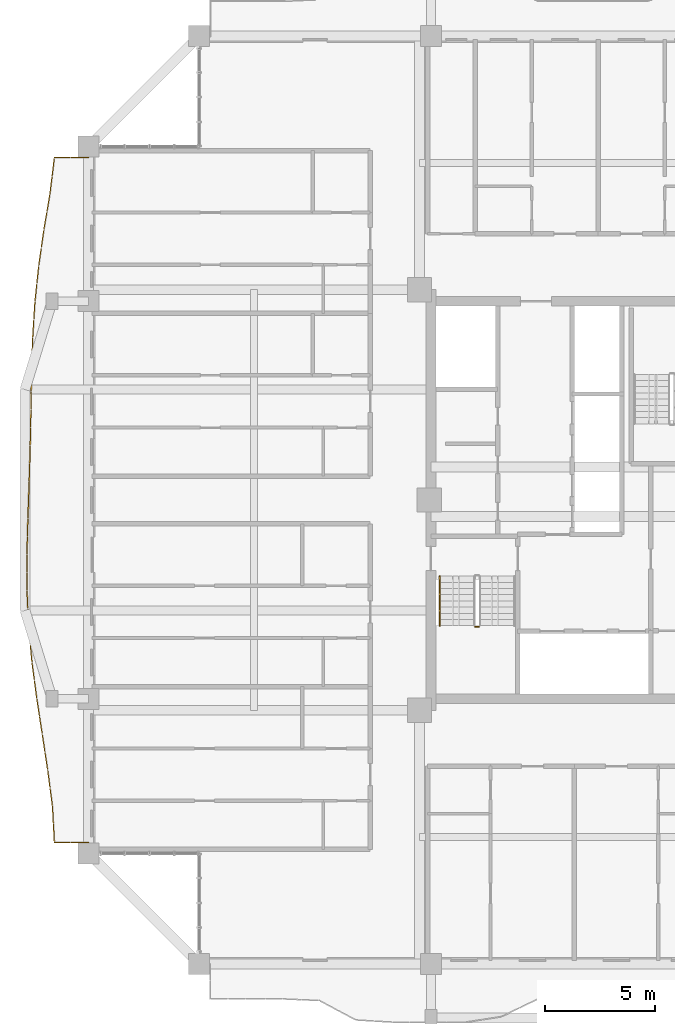
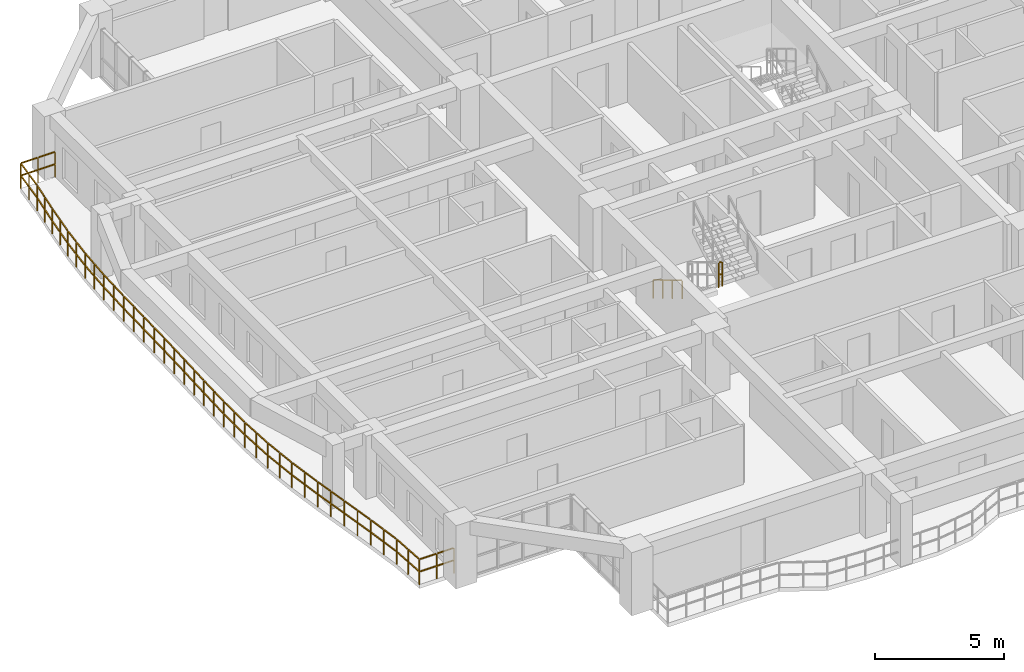
# One storey, part 20 of 23: 3 railings.
"""IFC4 building model written with IfcOpenShell, lengths in metres."""

from ifc_helpers import new_model, si_unit, direction, frame, origin, origin_2d, place, context, subcontext, project, spatial, rectangle, extrude, material, type_object, element, save


model = new_model("IFC4")

# Units and contexts
model_context = context("Model", 3, precision=1e-05, world=origin(), true_north=direction((0.0, 1.0)))
body_context = subcontext(model_context, "Body", "Model", "MODEL_VIEW")
ifc_project = project(units=[si_unit("LENGTHUNIT", "METRE"), si_unit("AREAUNIT", "SQUARE_METRE"), si_unit("VOLUMEUNIT", "CUBIC_METRE"), si_unit("PLANEANGLEUNIT", "RADIAN"), si_unit("MASSUNIT", "GRAM", prefix="KILO")], contexts=[model_context])

# Site, building, storey
site_placement = place(None, origin())
site = spatial("IfcSite", under=ifc_project, at=site_placement, CompositionType="ELEMENT")
building_placement = place(site_placement, origin())
building = spatial("IfcBuilding", under=site, at=building_placement, Name="Saelheon Loggia Tower", CompositionType="ELEMENT")
storey_placement = place(building_placement, frame((0.0, 0.0, 156.10009765625)))
storey = spatial("IfcBuildingStorey", under=building, at=storey_placement, Name="L49", CompositionType="ELEMENT", Elevation=156.10009765625)

# Railings
ifc_material_1 = material(Name="Architectural Precast Concrete and Laminated Glass Guard", Category="concrete")
railing_type_1 = type_object("IfcRailingType", Name="Guard_Loggia_RL_LOG", PredefinedType="BALUSTRADE", material=ifc_material_1)
railing_1_placement = place(storey_placement, frame((16.0, 42.5, 0.0)))
element("IfcRailing", 1, at=railing_1_placement, inside=storey, type_object=railing_type_1, Name="L49 West Loggia Balustrade", PredefinedType="BALUSTRADE", context=body_context, shape_type="SweptSolid", body=[
    extrude(rectangle(XDim=0.048095703125, YDim=0.048095703125, at=origin_2d()), frame((-0.033203125, 0.0, 1.19580078125), z_axis=(-1.0, 0.0, 0.0), x_axis=(0.0, -1.0, 0.0)), (0.0, 0.0, 1.0), 0.70849609375),
    extrude(rectangle(XDim=0.048095703125, YDim=0.048095703125, at=origin_2d()), frame((-0.033203125, 0.0, 0.60986328125), z_axis=(-1.0, 0.0, 0.0), x_axis=(0.0, -1.0, 0.0)), (0.0, 0.0, 1.0), 0.70849609375),
    extrude(rectangle(XDim=0.048095703125, YDim=0.048095703125, at=origin_2d()), frame((-0.808349609375, 0.0, 1.19580078125), z_axis=(-1.0, 0.0, 0.0), x_axis=(0.0, -1.0, 0.0)), (0.0, 0.0, 1.0), 0.70849609375),
    extrude(rectangle(XDim=0.048095703125, YDim=0.048095703125, at=origin_2d()), frame((-0.808349609375, 0.0, 0.60986328125), z_axis=(-1.0, 0.0, 0.0), x_axis=(0.0, -1.0, 0.0)), (0.0, 0.0, 1.0), 0.70849609375),
    extrude(rectangle(XDim=0.048095703125, YDim=0.048095703125, at=origin_2d()), frame((-1.55419921875, -0.032958984375, 1.19580078125), z_axis=(-0.121639737456, -0.99257431675, 0.0), x_axis=(0.99257431675, -0.121639737456, 0.0)), (0.0, 0.0, 1.0), 0.75537109375),
    extrude(rectangle(XDim=0.048095703125, YDim=0.048095703125, at=origin_2d()), frame((-1.55419921875, -0.032958984375, 0.60986328125), z_axis=(-0.121639737456, -0.99257431675, 0.0), x_axis=(0.99257431675, -0.121639737456, 0.0)), (0.0, 0.0, 1.0), 0.75537109375),
    extrude(rectangle(XDim=0.048095703125, YDim=0.048095703125, at=origin_2d()), frame((-1.654052734375, -0.848876953125, 1.19580078125), z_axis=(-0.121639737456, -0.99257431675, 0.0), x_axis=(0.99257431675, -0.121639737456, 0.0)), (0.0, 0.0, 1.0), 0.75537109375),
    extrude(rectangle(XDim=0.048095703125, YDim=0.048095703125, at=origin_2d()), frame((-1.654052734375, -0.848876953125, 0.60986328125), z_axis=(-0.121639737456, -0.99257431675, 0.0), x_axis=(0.99257431675, -0.121639737456, 0.0)), (0.0, 0.0, 1.0), 0.75537109375),
    extrude(rectangle(XDim=0.048095703125, YDim=0.048095703125, at=origin_2d()), frame((-1.755615234375, -1.664306640625, 1.19580078125), z_axis=(-0.166001960269, -0.986125422645, 0.0), x_axis=(0.986125422645, -0.166001960269, 0.0)), (0.0, 0.0, 1.0), 0.7607421875),
    extrude(rectangle(XDim=0.048095703125, YDim=0.048095703125, at=origin_2d()), frame((-1.755615234375, -1.664306640625, 0.60986328125), z_axis=(-0.166001960269, -0.986125422645, 0.0), x_axis=(0.986125422645, -0.166001960269, 0.0)), (0.0, 0.0, 1.0), 0.7607421875),
    extrude(rectangle(XDim=0.048095703125, YDim=0.048095703125, at=origin_2d()), frame((-1.892822265625, -2.480224609375, 1.19580078125), z_axis=(-0.166001960269, -0.986125422645, 0.0), x_axis=(0.986125422645, -0.166001960269, 0.0)), (0.0, 0.0, 1.0), 0.7607421875),
    extrude(rectangle(XDim=0.048095703125, YDim=0.048095703125, at=origin_2d()), frame((-1.892822265625, -2.480224609375, 0.60986328125), z_axis=(-0.166001960269, -0.986125422645, 0.0), x_axis=(0.986125422645, -0.166001960269, 0.0)), (0.0, 0.0, 1.0), 0.7607421875),
    extrude(rectangle(XDim=0.048095703125, YDim=0.048095703125, at=origin_2d()), frame((-2.029296875, -3.296142578125, 1.19580078125), z_axis=(-0.142478758225, -0.989797859896, 0.0), x_axis=(0.989797859896, -0.142478758225, 0.0)), (0.0, 0.0, 1.0), 0.7578125),
    extrude(rectangle(XDim=0.048095703125, YDim=0.048095703125, at=origin_2d()), frame((-2.029296875, -3.296142578125, 0.60986328125), z_axis=(-0.142478758225, -0.989797859896, 0.0), x_axis=(0.989797859896, -0.142478758225, 0.0)), (0.0, 0.0, 1.0), 0.7578125),
    extrude(rectangle(XDim=0.048095703125, YDim=0.048095703125, at=origin_2d()), frame((-2.146728515625, -4.11181640625, 1.19580078125), z_axis=(-0.142478758225, -0.989797859896, 0.0), x_axis=(0.989797859896, -0.142478758225, 0.0)), (0.0, 0.0, 1.0), 0.7578125),
    extrude(rectangle(XDim=0.048095703125, YDim=0.048095703125, at=origin_2d()), frame((-2.146728515625, -4.11181640625, 0.60986328125), z_axis=(-0.142478758225, -0.989797859896, 0.0), x_axis=(0.989797859896, -0.142478758225, 0.0)), (0.0, 0.0, 1.0), 0.7578125),
    extrude(rectangle(XDim=0.048095703125, YDim=0.048095703125, at=origin_2d()), frame((-2.262939453125, -4.927734375, 1.19580078125), z_axis=(-0.104173484774, -0.994559141062, 0.0), x_axis=(0.994559141062, -0.104173484774, 0.0)), (0.0, 0.0, 1.0), 0.75390625),
    extrude(rectangle(XDim=0.048095703125, YDim=0.048095703125, at=origin_2d()), frame((-2.262939453125, -4.927734375, 0.60986328125), z_axis=(-0.104173484774, -0.994559141062, 0.0), x_axis=(0.994559141062, -0.104173484774, 0.0)), (0.0, 0.0, 1.0), 0.75390625),
    extrude(rectangle(XDim=0.048095703125, YDim=0.048095703125, at=origin_2d()), frame((-2.348388671875, -5.74365234375, 1.19580078125), z_axis=(-0.104173484774, -0.994559141062, 0.0), x_axis=(0.994559141062, -0.104173484774, 0.0)), (0.0, 0.0, 1.0), 0.75390625),
    extrude(rectangle(XDim=0.048095703125, YDim=0.048095703125, at=origin_2d()), frame((-2.348388671875, -5.74365234375, 0.60986328125), z_axis=(-0.104173484774, -0.994559141062, 0.0), x_axis=(0.994559141062, -0.104173484774, 0.0)), (0.0, 0.0, 1.0), 0.75390625),
    extrude(rectangle(XDim=0.048095703125, YDim=0.048095703125, at=origin_2d()), frame((-2.4326171875, -6.5595703125, 1.19580078125), z_axis=(-0.063019778754, -0.998012278224, 0.0), x_axis=(0.998012278224, -0.063019778754, 0.0)), (0.0, 0.0, 1.0), 0.7509765625),
    extrude(rectangle(XDim=0.048095703125, YDim=0.048095703125, at=origin_2d()), frame((-2.4326171875, -6.5595703125, 0.60986328125), z_axis=(-0.063019778754, -0.998012278224, 0.0), x_axis=(0.998012278224, -0.063019778754, 0.0)), (0.0, 0.0, 1.0), 0.7509765625),
    extrude(rectangle(XDim=0.048095703125, YDim=0.048095703125, at=origin_2d()), frame((-2.484130859375, -7.375244140625, 1.19580078125), z_axis=(-0.063019778754, -0.998012278224, 0.0), x_axis=(0.998012278224, -0.063019778754, 0.0)), (0.0, 0.0, 1.0), 0.7509765625),
    extrude(rectangle(XDim=0.048095703125, YDim=0.048095703125, at=origin_2d()), frame((-2.484130859375, -7.375244140625, 0.60986328125), z_axis=(-0.063019778754, -0.998012278224, 0.0), x_axis=(0.998012278224, -0.063019778754, 0.0)), (0.0, 0.0, 1.0), 0.7509765625),
    extrude(rectangle(XDim=0.048095703125, YDim=0.048095703125, at=origin_2d()), frame((-2.534423828125, -8.191162109375, 1.19580078125), z_axis=(-0.031556922457, -0.999501956299, 0.0), x_axis=(0.999501956299, -0.031556922457, 0.0)), (0.0, 0.0, 1.0), 0.749755859375),
    extrude(rectangle(XDim=0.048095703125, YDim=0.048095703125, at=origin_2d()), frame((-2.534423828125, -8.191162109375, 0.60986328125), z_axis=(-0.031556922457, -0.999501956299, 0.0), x_axis=(0.999501956299, -0.031556922457, 0.0)), (0.0, 0.0, 1.0), 0.749755859375),
    extrude(rectangle(XDim=0.048095703125, YDim=0.048095703125, at=origin_2d()), frame((-2.560302734375, -9.007080078125, 1.19580078125), z_axis=(-0.031556922457, -0.999501956299, 0.0), x_axis=(0.999501956299, -0.031556922457, 0.0)), (0.0, 0.0, 1.0), 0.749755859375),
    extrude(rectangle(XDim=0.048095703125, YDim=0.048095703125, at=origin_2d()), frame((-2.560302734375, -9.007080078125, 0.60986328125), z_axis=(-0.031556922457, -0.999501956299, 0.0), x_axis=(0.999501956299, -0.031556922457, 0.0)), (0.0, 0.0, 1.0), 0.749755859375),
    extrude(rectangle(XDim=0.048095703125, YDim=0.048095703125, at=origin_2d()), frame((-2.58544921875, -9.82275390625, 1.19580078125), z_axis=(-0.016906157432, -0.999857080707, 0.0), x_axis=(0.999857080707, -0.016906157432, 0.0)), (0.0, 0.0, 1.0), 0.74951171875),
    extrude(rectangle(XDim=0.048095703125, YDim=0.048095703125, at=origin_2d()), frame((-2.58544921875, -9.82275390625, 0.60986328125), z_axis=(-0.016906157432, -0.999857080707, 0.0), x_axis=(0.999857080707, -0.016906157432, 0.0)), (0.0, 0.0, 1.0), 0.74951171875),
    extrude(rectangle(XDim=0.048095703125, YDim=0.048095703125, at=origin_2d()), frame((-2.599365234375, -10.638671875, 1.19580078125), z_axis=(-0.016906157432, -0.999857080707, 0.0), x_axis=(0.999857080707, -0.016906157432, 0.0)), (0.0, 0.0, 1.0), 0.74951171875),
    extrude(rectangle(XDim=0.048095703125, YDim=0.048095703125, at=origin_2d()), frame((-2.599365234375, -10.638671875, 0.60986328125), z_axis=(-0.016906157432, -0.999857080707, 0.0), x_axis=(0.999857080707, -0.016906157432, 0.0)), (0.0, 0.0, 1.0), 0.74951171875),
    extrude(rectangle(XDim=0.048095703125, YDim=0.048095703125, at=origin_2d()), frame((-2.61328125, -11.454345703125, 1.19580078125), z_axis=(-0.018853278196, -0.999822261155, 0.0), x_axis=(0.999822261155, -0.018853278196, 0.0)), (0.0, 0.0, 1.0), 0.749267578125),
    extrude(rectangle(XDim=0.048095703125, YDim=0.048095703125, at=origin_2d()), frame((-2.61328125, -11.454345703125, 0.60986328125), z_axis=(-0.018853278196, -0.999822261155, 0.0), x_axis=(0.999822261155, -0.018853278196, 0.0)), (0.0, 0.0, 1.0), 0.749267578125),
    extrude(rectangle(XDim=0.048095703125, YDim=0.048095703125, at=origin_2d()), frame((-2.628662109375, -12.27001953125, 1.19580078125), z_axis=(-0.018853278196, -0.999822261155, 0.0), x_axis=(0.999822261155, -0.018853278196, 0.0)), (0.0, 0.0, 1.0), 0.749267578125),
    extrude(rectangle(XDim=0.048095703125, YDim=0.048095703125, at=origin_2d()), frame((-2.628662109375, -12.27001953125, 0.60986328125), z_axis=(-0.018853278196, -0.999822261155, 0.0), x_axis=(0.999822261155, -0.018853278196, 0.0)), (0.0, 0.0, 1.0), 0.749267578125),
    extrude(rectangle(XDim=0.048095703125, YDim=0.048095703125, at=origin_2d()), frame((-2.644287109375, -13.085693359375, 1.19580078125), z_axis=(-0.028717763208, -0.999587559985, 0.0), x_axis=(0.999587559985, -0.028717763208, 0.0)), (0.0, 0.0, 1.0), 0.749755859375),
    extrude(rectangle(XDim=0.048095703125, YDim=0.048095703125, at=origin_2d()), frame((-2.644287109375, -13.085693359375, 0.60986328125), z_axis=(-0.028717763208, -0.999587559985, 0.0), x_axis=(0.999587559985, -0.028717763208, 0.0)), (0.0, 0.0, 1.0), 0.749755859375),
    extrude(rectangle(XDim=0.048095703125, YDim=0.048095703125, at=origin_2d()), frame((-2.667724609375, -13.901611328125, 1.19580078125), z_axis=(-0.028717763208, -0.999587559985, 0.0), x_axis=(0.999587559985, -0.028717763208, 0.0)), (0.0, 0.0, 1.0), 0.749755859375),
    extrude(rectangle(XDim=0.048095703125, YDim=0.048095703125, at=origin_2d()), frame((-2.667724609375, -13.901611328125, 0.60986328125), z_axis=(-0.028717763208, -0.999587559985, 0.0), x_axis=(0.999587559985, -0.028717763208, 0.0)), (0.0, 0.0, 1.0), 0.749755859375),
    extrude(rectangle(XDim=0.048095703125, YDim=0.048095703125, at=origin_2d()), frame((-2.69140625, -14.71728515625, 1.19580078125), z_axis=(-0.034987542363, -0.999387748514, 0.0), x_axis=(0.999387748514, -0.034987542363, 0.0)), (0.0, 0.0, 1.0), 0.75),
    extrude(rectangle(XDim=0.048095703125, YDim=0.048095703125, at=origin_2d()), frame((-2.69140625, -14.71728515625, 0.60986328125), z_axis=(-0.034987542363, -0.999387748514, 0.0), x_axis=(0.999387748514, -0.034987542363, 0.0)), (0.0, 0.0, 1.0), 0.75),
    extrude(rectangle(XDim=0.048095703125, YDim=0.048095703125, at=origin_2d()), frame((-2.719970703125, -15.533203125, 1.19580078125), z_axis=(-0.034987542363, -0.999387748514, 0.0), x_axis=(0.999387748514, -0.034987542363, 0.0)), (0.0, 0.0, 1.0), 0.75),
    extrude(rectangle(XDim=0.048095703125, YDim=0.048095703125, at=origin_2d()), frame((-2.719970703125, -15.533203125, 0.60986328125), z_axis=(-0.034987542363, -0.999387748514, 0.0), x_axis=(0.999387748514, -0.034987542363, 0.0)), (0.0, 0.0, 1.0), 0.75),
    extrude(rectangle(XDim=0.048095703125, YDim=0.048095703125, at=origin_2d()), frame((-2.748291015625, -16.34912109375, 1.19580078125), z_axis=(-0.026326350244, -0.999653401576, 0.0), x_axis=(0.999653401576, -0.026326350244, 0.0)), (0.0, 0.0, 1.0), 0.74951171875),
    extrude(rectangle(XDim=0.048095703125, YDim=0.048095703125, at=origin_2d()), frame((-2.748291015625, -16.34912109375, 0.60986328125), z_axis=(-0.026326350244, -0.999653401576, 0.0), x_axis=(0.999653401576, -0.026326350244, 0.0)), (0.0, 0.0, 1.0), 0.74951171875),
    extrude(rectangle(XDim=0.048095703125, YDim=0.048095703125, at=origin_2d()), frame((-2.769775390625, -17.1650390625, 1.19580078125), z_axis=(-0.026326350244, -0.999653401576, 0.0), x_axis=(0.999653401576, -0.026326350244, 0.0)), (0.0, 0.0, 1.0), 0.74951171875),
    extrude(rectangle(XDim=0.048095703125, YDim=0.048095703125, at=origin_2d()), frame((-2.769775390625, -17.1650390625, 0.60986328125), z_axis=(-0.026326350244, -0.999653401576, 0.0), x_axis=(0.999653401576, -0.026326350244, 0.0)), (0.0, 0.0, 1.0), 0.74951171875),
    extrude(rectangle(XDim=0.048095703125, YDim=0.048095703125, at=origin_2d()), frame((-2.790283203125, -17.980712890625, 1.19580078125), z_axis=(0.001047589967, -0.999999451277, 0.0), x_axis=(0.999999451277, 0.001047589967, 0.0)), (0.0, 0.0, 1.0), 0.749267578125),
    extrude(rectangle(XDim=0.048095703125, YDim=0.048095703125, at=origin_2d()), frame((-2.790283203125, -17.980712890625, 0.60986328125), z_axis=(0.001047589967, -0.999999451277, 0.0), x_axis=(0.999999451277, 0.001047589967, 0.0)), (0.0, 0.0, 1.0), 0.749267578125),
    extrude(rectangle(XDim=0.048095703125, YDim=0.048095703125, at=origin_2d()), frame((-2.789306640625, -18.79638671875, 1.19580078125), z_axis=(0.001047589967, -0.999999451277, 0.0), x_axis=(0.999999451277, 0.001047589967, 0.0)), (0.0, 0.0, 1.0), 0.749267578125),
    extrude(rectangle(XDim=0.048095703125, YDim=0.048095703125, at=origin_2d()), frame((-2.789306640625, -18.79638671875, 0.60986328125), z_axis=(0.001047589967, -0.999999451277, 0.0), x_axis=(0.999999451277, 0.001047589967, 0.0)), (0.0, 0.0, 1.0), 0.749267578125),
    extrude(rectangle(XDim=0.048095703125, YDim=0.048095703125, at=origin_2d()), frame((-2.787109375, -19.612060546875, 1.19580078125), z_axis=(0.04424810558, -0.999020572938, 0.0), x_axis=(0.999020572938, 0.04424810558, 0.0)), (0.0, 0.0, 1.0), 0.750244140625),
    extrude(rectangle(XDim=0.048095703125, YDim=0.048095703125, at=origin_2d()), frame((-2.787109375, -19.612060546875, 0.60986328125), z_axis=(0.04424810558, -0.999020572938, 0.0), x_axis=(0.999020572938, 0.04424810558, 0.0)), (0.0, 0.0, 1.0), 0.750244140625),
    extrude(rectangle(XDim=0.048095703125, YDim=0.048095703125, at=origin_2d()), frame((-2.7509765625, -20.427734375, 1.19580078125), z_axis=(0.04424810558, -0.999020572938, 0.0), x_axis=(0.999020572938, 0.04424810558, 0.0)), (0.0, 0.0, 1.0), 0.750244140625),
    extrude(rectangle(XDim=0.048095703125, YDim=0.048095703125, at=origin_2d()), frame((-2.7509765625, -20.427734375, 0.60986328125), z_axis=(0.04424810558, -0.999020572938, 0.0), x_axis=(0.999020572938, 0.04424810558, 0.0)), (0.0, 0.0, 1.0), 0.750244140625),
    extrude(rectangle(XDim=0.048095703125, YDim=0.048095703125, at=origin_2d()), frame((-2.71337890625, -21.24365234375, 1.19580078125), z_axis=(0.091785091288, -0.99577883941, 0.0), x_axis=(0.99577883941, 0.091785091288, 0.0)), (0.0, 0.0, 1.0), 0.752685546875),
    extrude(rectangle(XDim=0.048095703125, YDim=0.048095703125, at=origin_2d()), frame((-2.71337890625, -21.24365234375, 0.60986328125), z_axis=(0.091785091288, -0.99577883941, 0.0), x_axis=(0.99577883941, 0.091785091288, 0.0)), (0.0, 0.0, 1.0), 0.752685546875),
    extrude(rectangle(XDim=0.048095703125, YDim=0.048095703125, at=origin_2d()), frame((-2.63818359375, -22.059326171875, 1.19580078125), z_axis=(0.091785091288, -0.99577883941, 0.0), x_axis=(0.99577883941, 0.091785091288, 0.0)), (0.0, 0.0, 1.0), 0.752685546875),
    extrude(rectangle(XDim=0.048095703125, YDim=0.048095703125, at=origin_2d()), frame((-2.63818359375, -22.059326171875, 0.60986328125), z_axis=(0.091785091288, -0.99577883941, 0.0), x_axis=(0.99577883941, 0.091785091288, 0.0)), (0.0, 0.0, 1.0), 0.752685546875),
    extrude(rectangle(XDim=0.048095703125, YDim=0.048095703125, at=origin_2d()), frame((-2.5615234375, -22.875, 1.19580078125), z_axis=(0.131133680986, -0.991364694606, 0.0), x_axis=(0.991364694606, 0.131133680986, 0.0)), (0.0, 0.0, 1.0), 0.75634765625),
    extrude(rectangle(XDim=0.048095703125, YDim=0.048095703125, at=origin_2d()), frame((-2.5615234375, -22.875, 0.60986328125), z_axis=(0.131133680986, -0.991364694606, 0.0), x_axis=(0.991364694606, 0.131133680986, 0.0)), (0.0, 0.0, 1.0), 0.75634765625),
    extrude(rectangle(XDim=0.048095703125, YDim=0.048095703125, at=origin_2d()), frame((-2.45361328125, -23.690673828125, 1.19580078125), z_axis=(0.131133680986, -0.991364694606, 0.0), x_axis=(0.991364694606, 0.131133680986, 0.0)), (0.0, 0.0, 1.0), 0.75634765625),
    extrude(rectangle(XDim=0.048095703125, YDim=0.048095703125, at=origin_2d()), frame((-2.45361328125, -23.690673828125, 0.60986328125), z_axis=(0.131133680986, -0.991364694606, 0.0), x_axis=(0.991364694606, 0.131133680986, 0.0)), (0.0, 0.0, 1.0), 0.75634765625),
    extrude(rectangle(XDim=0.048095703125, YDim=0.048095703125, at=origin_2d()), frame((-2.344970703125, -24.506591796875, 1.19580078125), z_axis=(0.151601487322, -0.988441697341, 0.0), x_axis=(0.988441697341, 0.151601487322, 0.0)), (0.0, 0.0, 1.0), 0.7587890625),
    extrude(rectangle(XDim=0.048095703125, YDim=0.048095703125, at=origin_2d()), frame((-2.344970703125, -24.506591796875, 0.60986328125), z_axis=(0.151601487322, -0.988441697341, 0.0), x_axis=(0.988441697341, 0.151601487322, 0.0)), (0.0, 0.0, 1.0), 0.7587890625),
    extrude(rectangle(XDim=0.048095703125, YDim=0.048095703125, at=origin_2d()), frame((-2.219970703125, -25.322265625, 1.19580078125), z_axis=(0.151601487322, -0.988441697341, 0.0), x_axis=(0.988441697341, 0.151601487322, 0.0)), (0.0, 0.0, 1.0), 0.7587890625),
    extrude(rectangle(XDim=0.048095703125, YDim=0.048095703125, at=origin_2d()), frame((-2.219970703125, -25.322265625, 0.60986328125), z_axis=(0.151601487322, -0.988441697341, 0.0), x_axis=(0.988441697341, 0.151601487322, 0.0)), (0.0, 0.0, 1.0), 0.7587890625),
    extrude(rectangle(XDim=0.048095703125, YDim=0.048095703125, at=origin_2d()), frame((-2.094970703125, -26.13818359375, 1.19580078125), z_axis=(0.150011350352, -0.988684274562, 0.0), x_axis=(0.988684274562, 0.150011350352, 0.0)), (0.0, 0.0, 1.0), 0.758544921875),
    extrude(rectangle(XDim=0.048095703125, YDim=0.048095703125, at=origin_2d()), frame((-2.094970703125, -26.13818359375, 0.60986328125), z_axis=(0.150011350352, -0.988684274562, 0.0), x_axis=(0.988684274562, 0.150011350352, 0.0)), (0.0, 0.0, 1.0), 0.758544921875),
    extrude(rectangle(XDim=0.048095703125, YDim=0.048095703125, at=origin_2d()), frame((-1.97119140625, -26.953857421875, 1.19580078125), z_axis=(0.150011350352, -0.988684274562, 0.0), x_axis=(0.988684274562, 0.150011350352, 0.0)), (0.0, 0.0, 1.0), 0.758544921875),
    extrude(rectangle(XDim=0.048095703125, YDim=0.048095703125, at=origin_2d()), frame((-1.97119140625, -26.953857421875, 0.60986328125), z_axis=(0.150011350352, -0.988684274562, 0.0), x_axis=(0.988684274562, 0.150011350352, 0.0)), (0.0, 0.0, 1.0), 0.758544921875),
    extrude(rectangle(XDim=0.048095703125, YDim=0.048095703125, at=origin_2d()), frame((-1.847900390625, -27.769775390625, 1.19580078125), z_axis=(0.130987886348, -0.991383968818, 0.0), x_axis=(0.991383968818, 0.130987886348, 0.0)), (0.0, 0.0, 1.0), 0.75634765625),
    extrude(rectangle(XDim=0.048095703125, YDim=0.048095703125, at=origin_2d()), frame((-1.847900390625, -27.769775390625, 0.60986328125), z_axis=(0.130987886348, -0.991383968818, 0.0), x_axis=(0.991383968818, 0.130987886348, 0.0)), (0.0, 0.0, 1.0), 0.75634765625),
    extrude(rectangle(XDim=0.048095703125, YDim=0.048095703125, at=origin_2d()), frame((-1.740234375, -28.58544921875, 1.19580078125), z_axis=(0.130987886348, -0.991383968818, 0.0), x_axis=(0.991383968818, 0.130987886348, 0.0)), (0.0, 0.0, 1.0), 0.75634765625),
    extrude(rectangle(XDim=0.048095703125, YDim=0.048095703125, at=origin_2d()), frame((-1.740234375, -28.58544921875, 0.60986328125), z_axis=(0.130987886348, -0.991383968818, 0.0), x_axis=(0.991383968818, 0.130987886348, 0.0)), (0.0, 0.0, 1.0), 0.75634765625),
    extrude(rectangle(XDim=0.048095703125, YDim=0.048095703125, at=origin_2d()), frame((-1.635009765625, -29.401611328125, 1.19580078125), z_axis=(0.053045069927, -0.998592119214, 0.0), x_axis=(0.998592119214, 0.053045069927, 0.0)), (0.0, 0.0, 1.0), 0.75048828125),
    extrude(rectangle(XDim=0.048095703125, YDim=0.048095703125, at=origin_2d()), frame((-1.635009765625, -29.401611328125, 0.60986328125), z_axis=(0.053045069927, -0.998592119214, 0.0), x_axis=(0.998592119214, 0.053045069927, 0.0)), (0.0, 0.0, 1.0), 0.75048828125),
    extrude(rectangle(XDim=0.048095703125, YDim=0.048095703125, at=origin_2d()), frame((-1.591552734375, -30.21728515625, 1.19580078125), z_axis=(0.053045069927, -0.998592119214, 0.0), x_axis=(0.998592119214, 0.053045069927, 0.0)), (0.0, 0.0, 1.0), 0.75048828125),
    extrude(rectangle(XDim=0.048095703125, YDim=0.048095703125, at=origin_2d()), frame((-1.591552734375, -30.21728515625, 0.60986328125), z_axis=(0.053045069927, -0.998592119214, 0.0), x_axis=(0.998592119214, 0.053045069927, 0.0)), (0.0, 0.0, 1.0), 0.75048828125),
    extrude(rectangle(XDim=0.048095703125, YDim=0.048095703125, at=origin_2d()), frame((-1.516845703125, -31.0, 1.19580078125), z_axis=(1.0, 0.0, 0.0), x_axis=(0.0, 1.0, 0.0)), (0.0, 0.0, 1.0), 0.70849609375),
    extrude(rectangle(XDim=0.048095703125, YDim=0.048095703125, at=origin_2d()), frame((-1.516845703125, -31.0, 0.60986328125), z_axis=(1.0, 0.0, 0.0), x_axis=(0.0, 1.0, 0.0)), (0.0, 0.0, 1.0), 0.70849609375),
    extrude(rectangle(XDim=0.048095703125, YDim=0.048095703125, at=origin_2d()), frame((-0.74169921875, -31.0, 1.19580078125), z_axis=(1.0, 0.0, 0.0), x_axis=(0.0, 1.0, 0.0)), (0.0, 0.0, 1.0), 0.70849609375),
    extrude(rectangle(XDim=0.048095703125, YDim=0.048095703125, at=origin_2d()), frame((-0.74169921875, -31.0, 0.60986328125), z_axis=(1.0, 0.0, 0.0), x_axis=(0.0, 1.0, 0.0)), (0.0, 0.0, 1.0), 0.70849609375),
    extrude(rectangle(XDim=0.0419921875, YDim=0.0419921875, at=origin_2d()), origin(), (0.0, 0.0, 1.0), 1.16796875),
    extrude(rectangle(XDim=0.0419921875, YDim=0.0419921875, at=origin_2d()), frame((-0.77490234375, 0.0, 0.0)), (0.0, 0.0, 1.0), 1.16796875),
    extrude(rectangle(XDim=0.0419921875, YDim=0.0419921875, at=origin_2d()), frame((-1.550048828125, 0.0, 0.0)), (0.0, 0.0, 1.0), 1.16796875),
    extrude(rectangle(XDim=0.0419921875, YDim=0.0419921875, at=origin_2d()), frame((-1.64990234375, -0.81591796875, 0.0)), (0.0, 0.0, 1.0), 1.16796875),
    extrude(rectangle(XDim=0.0419921875, YDim=0.0419921875, at=origin_2d()), frame((-1.75, -1.631591796875, 0.0)), (0.0, 0.0, 1.0), 1.16796875),
    extrude(rectangle(XDim=0.0419921875, YDim=0.0419921875, at=origin_2d()), frame((-1.88720703125, -2.447265625, 0.0)), (0.0, 0.0, 1.0), 1.16796875),
    extrude(rectangle(XDim=0.0419921875, YDim=0.0419921875, at=origin_2d()), frame((-2.024658203125, -3.26318359375, 0.0)), (0.0, 0.0, 1.0), 1.16796875),
    extrude(rectangle(XDim=0.0419921875, YDim=0.0419921875, at=origin_2d()), frame((-2.14208984375, -4.0791015625, 0.0)), (0.0, 0.0, 1.0), 1.16796875),
    extrude(rectangle(XDim=0.0419921875, YDim=0.0419921875, at=origin_2d()), frame((-2.259521484375, -4.894775390625, 0.0)), (0.0, 0.0, 1.0), 1.16796875),
    extrude(rectangle(XDim=0.0419921875, YDim=0.0419921875, at=origin_2d()), frame((-2.344970703125, -5.71044921875, 0.0)), (0.0, 0.0, 1.0), 1.16796875),
    extrude(rectangle(XDim=0.0419921875, YDim=0.0419921875, at=origin_2d()), frame((-2.430419921875, -6.5263671875, 0.0)), (0.0, 0.0, 1.0), 1.16796875),
    extrude(rectangle(XDim=0.0419921875, YDim=0.0419921875, at=origin_2d()), frame((-2.48193359375, -7.34228515625, 0.0)), (0.0, 0.0, 1.0), 1.16796875),
    extrude(rectangle(XDim=0.0419921875, YDim=0.0419921875, at=origin_2d()), frame((-2.533447265625, -8.157958984375, 0.0)), (0.0, 0.0, 1.0), 1.16796875),
    extrude(rectangle(XDim=0.0419921875, YDim=0.0419921875, at=origin_2d()), frame((-2.55908203125, -8.9736328125, 0.0)), (0.0, 0.0, 1.0), 1.16796875),
    extrude(rectangle(XDim=0.0419921875, YDim=0.0419921875, at=origin_2d()), frame((-2.5849609375, -9.78955078125, 0.0)), (0.0, 0.0, 1.0), 1.16796875),
    extrude(rectangle(XDim=0.0419921875, YDim=0.0419921875, at=origin_2d()), frame((-2.5986328125, -10.60546875, 0.0)), (0.0, 0.0, 1.0), 1.16796875),
    extrude(rectangle(XDim=0.0419921875, YDim=0.0419921875, at=origin_2d()), frame((-2.612548828125, -11.421142578125, 0.0)), (0.0, 0.0, 1.0), 1.16796875),
    extrude(rectangle(XDim=0.0419921875, YDim=0.0419921875, at=origin_2d()), frame((-2.6279296875, -12.23681640625, 0.0)), (0.0, 0.0, 1.0), 1.16796875),
    extrude(rectangle(XDim=0.0419921875, YDim=0.0419921875, at=origin_2d()), frame((-2.643310546875, -13.052490234375, 0.0)), (0.0, 0.0, 1.0), 1.16796875),
    extrude(rectangle(XDim=0.0419921875, YDim=0.0419921875, at=origin_2d()), frame((-2.666748046875, -13.8681640625, 0.0)), (0.0, 0.0, 1.0), 1.16796875),
    extrude(rectangle(XDim=0.0419921875, YDim=0.0419921875, at=origin_2d()), frame((-2.690185546875, -14.68408203125, 0.0)), (0.0, 0.0, 1.0), 1.16796875),
    extrude(rectangle(XDim=0.0419921875, YDim=0.0419921875, at=origin_2d()), frame((-2.71875, -15.5, 0.0)), (0.0, 0.0, 1.0), 1.16796875),
    extrude(rectangle(XDim=0.0419921875, YDim=0.0419921875, at=origin_2d()), frame((-2.747314453125, -16.31591796875, 0.0)), (0.0, 0.0, 1.0), 1.16796875),
    extrude(rectangle(XDim=0.0419921875, YDim=0.0419921875, at=origin_2d()), frame((-2.768798828125, -17.1318359375, 0.0)), (0.0, 0.0, 1.0), 1.16796875),
    extrude(rectangle(XDim=0.0419921875, YDim=0.0419921875, at=origin_2d()), frame((-2.790283203125, -17.947509765625, 0.0)), (0.0, 0.0, 1.0), 1.16796875),
    extrude(rectangle(XDim=0.0419921875, YDim=0.0419921875, at=origin_2d()), frame((-2.78955078125, -18.76318359375, 0.0)), (0.0, 0.0, 1.0), 1.16796875),
    extrude(rectangle(XDim=0.0419921875, YDim=0.0419921875, at=origin_2d()), frame((-2.78857421875, -19.578857421875, 0.0)), (0.0, 0.0, 1.0), 1.16796875),
    extrude(rectangle(XDim=0.0419921875, YDim=0.0419921875, at=origin_2d()), frame((-2.75244140625, -20.39453125, 0.0)), (0.0, 0.0, 1.0), 1.16796875),
    extrude(rectangle(XDim=0.0419921875, YDim=0.0419921875, at=origin_2d()), frame((-2.71630859375, -21.21044921875, 0.0)), (0.0, 0.0, 1.0), 1.16796875),
    extrude(rectangle(XDim=0.0419921875, YDim=0.0419921875, at=origin_2d()), frame((-2.64111328125, -22.0263671875, 0.0)), (0.0, 0.0, 1.0), 1.16796875),
    extrude(rectangle(XDim=0.0419921875, YDim=0.0419921875, at=origin_2d()), frame((-2.56591796875, -22.842041015625, 0.0)), (0.0, 0.0, 1.0), 1.16796875),
    extrude(rectangle(XDim=0.0419921875, YDim=0.0419921875, at=origin_2d()), frame((-2.4580078125, -23.65771484375, 0.0)), (0.0, 0.0, 1.0), 1.16796875),
    extrude(rectangle(XDim=0.0419921875, YDim=0.0419921875, at=origin_2d()), frame((-2.35009765625, -24.4736328125, 0.0)), (0.0, 0.0, 1.0), 1.16796875),
    extrude(rectangle(XDim=0.0419921875, YDim=0.0419921875, at=origin_2d()), frame((-2.22509765625, -25.28955078125, 0.0)), (0.0, 0.0, 1.0), 1.16796875),
    extrude(rectangle(XDim=0.0419921875, YDim=0.0419921875, at=origin_2d()), frame((-2.099853515625, -26.105224609375, 0.0)), (0.0, 0.0, 1.0), 1.16796875),
    extrude(rectangle(XDim=0.0419921875, YDim=0.0419921875, at=origin_2d()), frame((-1.97607421875, -26.9208984375, 0.0)), (0.0, 0.0, 1.0), 1.16796875),
    extrude(rectangle(XDim=0.0419921875, YDim=0.0419921875, at=origin_2d()), frame((-1.852294921875, -27.73681640625, 0.0)), (0.0, 0.0, 1.0), 1.16796875),
    extrude(rectangle(XDim=0.0419921875, YDim=0.0419921875, at=origin_2d()), frame((-1.74462890625, -28.552734375, 0.0)), (0.0, 0.0, 1.0), 1.16796875),
    extrude(rectangle(XDim=0.0419921875, YDim=0.0419921875, at=origin_2d()), frame((-1.63671875, -29.368408203125, 0.0)), (0.0, 0.0, 1.0), 1.16796875),
    extrude(rectangle(XDim=0.0419921875, YDim=0.0419921875, at=origin_2d()), frame((-1.59326171875, -30.18408203125, 0.0)), (0.0, 0.0, 1.0), 1.16796875),
    extrude(rectangle(XDim=0.0419921875, YDim=0.0419921875, at=origin_2d()), frame((-1.550048828125, -31.0, 0.0)), (0.0, 0.0, 1.0), 1.16796875),
    extrude(rectangle(XDim=0.0419921875, YDim=0.0419921875, at=origin_2d()), frame((-0.77490234375, -31.0, 0.0)), (0.0, 0.0, 1.0), 1.16796875),
    extrude(rectangle(XDim=0.0419921875, YDim=0.0419921875, at=origin_2d()), frame((0.0, -31.0, 0.0)), (0.0, 0.0, 1.0), 1.16796875),
])
ifc_material_2 = material(Name="Galvanised Steel S275 Stairwell Guardrail", Category="steel")
railing_type_2 = type_object("IfcRailingType", Name="Guard_StairWell_RL_STG", PredefinedType="GUARDRAIL", material=ifc_material_2)
railing_2_placement = place(storey_placement, frame((33.510009765625, 21.260009765625, 1.5)))
element("IfcRailing", 2, at=railing_2_placement, inside=storey, type_object=railing_type_2, Name="L49 ST1 stair guard 2", PredefinedType="GUARDRAIL", context=body_context, shape_type="SweptSolid", body=[
    extrude(rectangle(XDim=0.048095703125, YDim=0.048095703125, at=origin_2d()), frame((0.033203125, 0.0, 1.17578125), z_axis=(1.0, 0.0, 0.0), x_axis=(0.0, 1.0, 0.0)), (0.0, 0.0, 1.0), 0.093505859375),
    extrude(rectangle(XDim=0.048095703125, YDim=0.048095703125, at=origin_2d()), frame((0.033203125, 0.0, 0.60009765625), z_axis=(1.0, 0.0, 0.0), x_axis=(0.0, 1.0, 0.0)), (0.0, 0.0, 1.0), 0.093505859375),
    extrude(rectangle(XDim=0.0419921875, YDim=0.0419921875, at=origin_2d()), origin(), (0.0, 0.0, 1.0), 1.14794921875),
    extrude(rectangle(XDim=0.0419921875, YDim=0.0419921875, at=origin_2d()), frame((0.159912109375, 0.0, 0.0)), (0.0, 0.0, 1.0), 1.14794921875),
])
ifc_material_3 = material(Name="Stainless Steel 304 Tubular Handrail", Category="steel")
railing_type_3 = type_object("IfcRailingType", Name="Handrail_Stair_RL_HR1", PredefinedType="HANDRAIL", material=ifc_material_3)
railing_3_placement = place(storey_placement, frame((31.89990234375, 23.550048828125, 0.16650390625)))
element("IfcRailing", 3, at=railing_3_placement, inside=storey, type_object=railing_type_3, Name="L49 ST1 stair handrail 1", PredefinedType="HANDRAIL", context=body_context, shape_type="SweptSolid", body=[
    extrude(rectangle(XDim=0.048095703125, YDim=0.048095703125, at=origin_2d()), frame((0.0, -0.028564453125, 0.892822265625), z_axis=(0.0, -0.859264461869, 0.511531606619), x_axis=(1.0, 0.0, 0.0)), (0.0, 0.0, 1.0), 0.802490234375),
    extrude(rectangle(XDim=0.048095703125, YDim=0.048095703125, at=origin_2d()), frame((0.0, -0.775146484375, 1.33740234375), z_axis=(0.0, -0.859264461869, 0.511531606619), x_axis=(1.0, 0.0, 0.0)), (0.0, 0.0, 1.0), 0.802490234375),
    extrude(rectangle(XDim=0.048095703125, YDim=0.048095703125, at=origin_2d()), frame((0.0, -1.52197265625, 1.78173828125), z_axis=(0.0, -0.859264461869, 0.511531606619), x_axis=(1.0, 0.0, 0.0)), (0.0, 0.0, 1.0), 0.802490234375),
    extrude(rectangle(XDim=0.0419921875, YDim=0.0419921875, at=origin_2d()), origin(), (0.0, 0.0, 1.0), 0.847900390625),
    extrude(rectangle(XDim=0.0419921875, YDim=0.0419921875, at=origin_2d()), frame((0.0, -0.74658203125, 0.444580078125)), (0.0, 0.0, 1.0), 0.847900390625),
    extrude(rectangle(XDim=0.0419921875, YDim=0.0419921875, at=origin_2d()), frame((0.0, -1.493408203125, 0.888916015625)), (0.0, 0.0, 1.0), 0.847900390625),
    extrude(rectangle(XDim=0.0419921875, YDim=0.0419921875, at=origin_2d()), frame((0.0, -2.239990234375, 1.33349609375)), (0.0, 0.0, 1.0), 0.847900390625),
])

save(model, "model.ifc")
